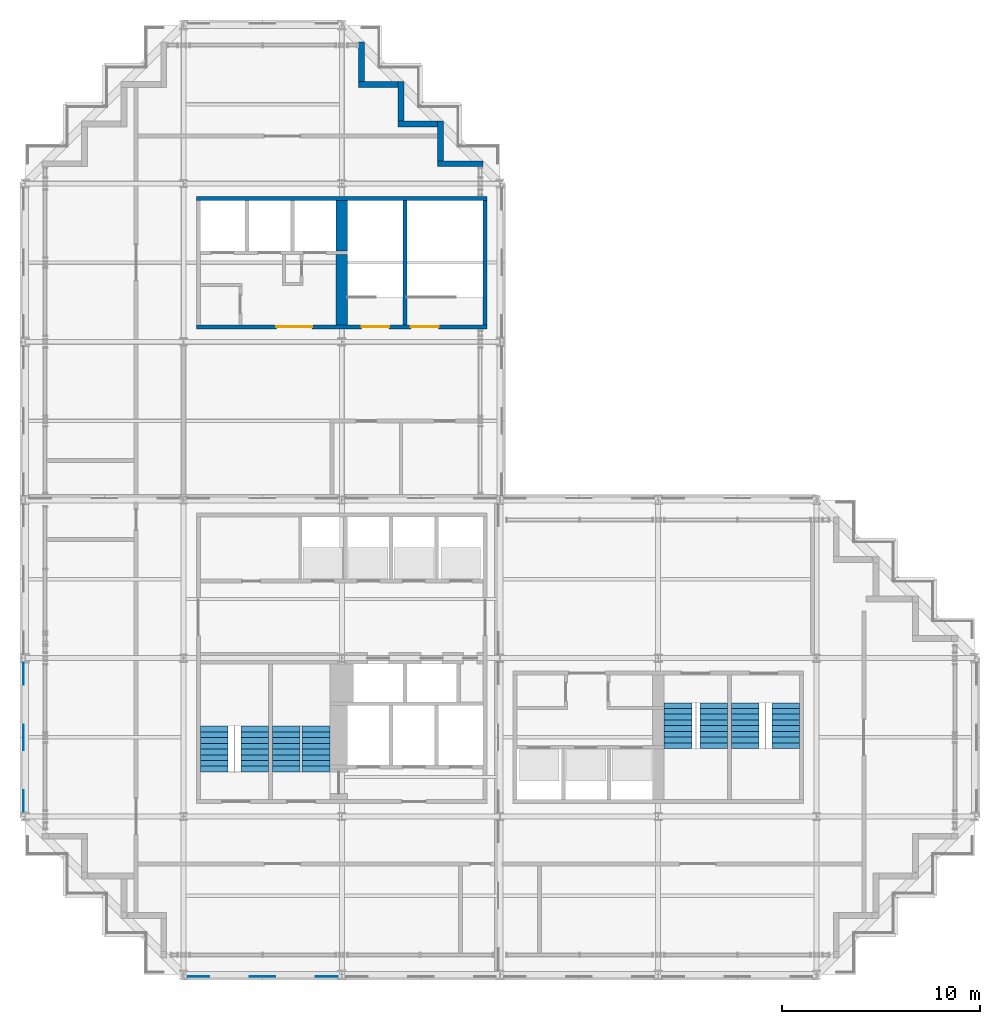
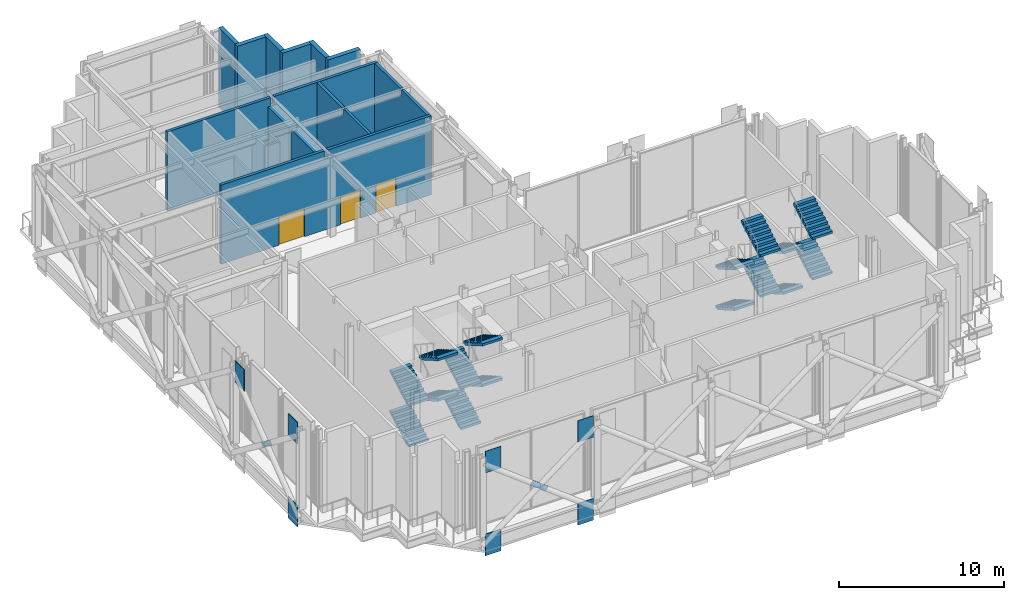
# One storey, part 19 of 23: 16 stair flights, 12 walls, 9 discrete accessories, 3 doors, 3 openings, 4 elements without a shape of their own.
"""IFC4 building model written with IfcOpenShell, lengths in metres."""

from ifc_helpers import new_model, si_unit, direction, frame, frame_2d, origin, origin_2d, place, context, subcontext, project, spatial, polyline, rectangle, outline, extrude, material, layer, layer_set, material_profile, profile_set, type_object, element, fill, aggregate, save


model = new_model("IFC4")

# Units and contexts
model_context = context("Model", 3, precision=1e-05, world=origin(), true_north=direction((0.0, 1.0)))
body_context = subcontext(model_context, "Body", "Model", "MODEL_VIEW")
ifc_project = project(units=[si_unit("LENGTHUNIT", "METRE"), si_unit("AREAUNIT", "SQUARE_METRE"), si_unit("VOLUMEUNIT", "CUBIC_METRE"), si_unit("PLANEANGLEUNIT", "RADIAN"), si_unit("MASSUNIT", "GRAM", prefix="KILO")], contexts=[model_context])

# Site, building, storey
site_placement = place(None, origin())
site = spatial("IfcSite", under=ifc_project, at=site_placement, CompositionType="ELEMENT")
building_placement = place(site_placement, origin())
building = spatial("IfcBuilding", under=site, at=building_placement, Name="Immortelle Media Tower", CompositionType="ELEMENT")
storey_placement = place(building_placement, frame((0.0, 0.0, 183.0)))
storey = spatial("IfcBuildingStorey", under=building, at=storey_placement, Name="L38", CompositionType="ELEMENT", Elevation=183.0)

# Walls
ifc_material_1 = material(Name="Pale aluminium cladding panel", Category="aluminium")
ifc_layer_1 = layer(ifc_material_1, 0.030029296875)
ifc_material_2 = material(Name="Steel ASTM A653 SS Gr 50 stud frame with mineral wool", Category="steel")
ifc_layer_2 = layer(ifc_material_2, 0.257568359375)
ifc_material_3 = material(Name="Moisture-resistant gypsum board", Category="gypsum")
ifc_layer_3 = layer(ifc_material_3, 0.012451171875)
ifc_layer_set_1 = layer_set([ifc_layer_1, ifc_layer_2, ifc_layer_3], Name="Steel ASTM A653 SS Gr 50 stud frame with mineral wool")
wall_type_1 = type_object("IfcWallType", Name="Pale metal clad wall 300", PredefinedType="STANDARD", material=ifc_layer_set_1)
wall_1_placement = place(storey_placement, frame((23.14990234375, 41.0, 0.0), z_axis=(0.0, 0.0, 1.0), x_axis=(-1.0, 0.0, 0.0)))
element("IfcWall", 1, at=wall_1_placement, inside=storey, type_object=wall_type_1, Name="Plant corner wall L38 N 23", PredefinedType="STANDARD", context=body_context, shape_type="SweptSolid", body=[
    extrude(rectangle(XDim=2.2998046875, YDim=0.300048828125, at=frame_2d((1.14990234375, 0.0))), origin(), (0.0, 0.0, 1.0), 5.849609375),
])
for number, where, z_axis, x_axis, name in (
    (2, (21.0, 41.14990234375, 0.0), (0.0, 0.0, 1.0), (0.0, 1.0, 0.0), "Plant corner wall L38 E 24"),
    (3, (20.85009765625, 43.0, 0.0), (0.0, 0.0, 1.0), (-1.0, 0.0, 0.0), "Plant corner wall L38 N 25"),
    (4, (19.0, 43.14990234375, 0.0), (0.0, 0.0, 1.0), (0.0, 1.0, 0.0), "Plant corner wall L38 E 26"),
    (5, (18.85009765625, 45.0, 0.0), (0.0, 0.0, 1.0), (-1.0, 0.0, 0.0), "Plant corner wall L38 N 27"),
    (6, (17.0, 45.14990234375, 0.0), (0.0, 0.0, 1.0), (0.0, 1.0, 0.0), "Plant corner wall L38 E 28"),
):
    element("IfcWall", number, at=place(storey_placement, frame(where, z_axis=z_axis, x_axis=x_axis)), inside=storey, type_object=wall_type_1, Name=name, PredefinedType="STANDARD", context=body_context, shape_type="SweptSolid", body=[
        extrude(rectangle(XDim=2.0, YDim=0.300048828125, at=frame_2d((1.0, 0.0))), origin(), (0.0, 0.0, 1.0), 5.849609375),
    ])

# Wall, openings, doors
ifc_material_4 = material(Name="Concrete C60", Category="concrete")
ifc_layer_4 = layer(ifc_material_4, 0.199951171875)
ifc_layer_set_2 = layer_set([ifc_layer_4], Name="Concrete C60")
wall_type_2 = type_object("IfcWallType", Name="Stair shaft wall 200", PredefinedType="PARTITIONING", material=ifc_layer_set_2)
wall_2_placement = place(storey_placement, frame((8.64990234375, 32.75, 0.0), z_axis=(0.0, 0.0, 1.0), x_axis=(1.0, 0.0, 0.0)))
wall_2 = element("IfcWall", 7, at=wall_2_placement, inside=storey, type_object=wall_type_2, Name="Stair shaft wall NW", PredefinedType="PARTITIONING", context=body_context, shape_type="SweptSolid", body=[
    extrude(outline(polyline([(0.0, 0.0), (14.7001953125, 0.0), (14.699951171875, 5.85009765625), (7.468994140625, 5.85009765625), (7.468017578125, 5.241943359375), (7.23193359375, 5.241943359375), (7.23095703125, 5.85009765625), (0.0, 5.85009765625), (0.0, 0.0)])), frame((0.0, 0.10009765625, 0.0), z_axis=(0.0, -1.0, 0.0), x_axis=(1.0, 0.0, 0.0)), (0.0, 0.0, 1.0), 0.199951171875),
])
opening_1_placement = place(wall_2_placement, frame((4.050048828125, 0.0, 0.0)))
opening_1 = element("IfcOpeningElement", 8, at=opening_1_placement, cuts=wall_2, Name="Opening L38-K029", PredefinedType="OPENING", context=body_context, shape_type="SweptSolid", body=[
    extrude(rectangle(XDim=1.800048828125, YDim=2.10009765625, at=frame_2d((0.89990234375, 1.050048828125))), frame((0.0, 0.10986328125, 0.0), z_axis=(0.0, -1.0, 0.0), x_axis=(1.0, 0.0, 0.0)), (0.0, 0.0, 1.0), 0.219970703125),
])
opening_2_placement = place(wall_2_placement, frame((8.35009765625, 0.0, 0.0)))
opening_2 = element("IfcOpeningElement", 9, at=opening_2_placement, cuts=wall_2, Name="Opening L38-K032", PredefinedType="OPENING", context=body_context, shape_type="SweptSolid", body=[
    extrude(rectangle(XDim=1.39990234375, YDim=2.10009765625, at=frame_2d((0.699951171875, 1.050048828125))), frame((0.0, 0.10986328125, 0.0), z_axis=(0.0, -1.0, 0.0), x_axis=(1.0, 0.0, 0.0)), (0.0, 0.0, 1.0), 0.219970703125),
])
opening_3_placement = place(wall_2_placement, frame((10.85009765625, 0.0, 0.0)))
opening_3 = element("IfcOpeningElement", 10, at=opening_3_placement, cuts=wall_2, Name="Opening L38-K033", PredefinedType="OPENING", context=body_context, shape_type="SweptSolid", body=[
    extrude(rectangle(XDim=1.39990234375, YDim=2.10009765625, at=frame_2d((0.699951171875, 1.050048828125))), frame((0.0, 0.10986328125, 0.0), z_axis=(0.0, -1.0, 0.0), x_axis=(1.0, 0.0, 0.0)), (0.0, 0.0, 1.0), 0.219970703125),
])
ifc_material_5 = material(Name="Galvanised steel door leaf and frame ASTM A653", Category="steel")
door_type_1 = type_object("IfcDoorType", Name="Lift lobby door 1800 x 2100", OperationType="DOUBLE_DOOR_SINGLE_SWING", PredefinedType="NOTDEFINED", material=ifc_material_5)
door_1_placement = place(opening_1_placement, origin())
door_1 = element("IfcDoor", 11, at=door_1_placement, inside=storey, type_object=door_type_1, Name="Lift lobby L38-K029", OperationType="DOUBLE_DOOR_SINGLE_SWING", OverallHeight=2.10009765625, OverallWidth=1.800048828125, PredefinedType="NOTDEFINED", context=body_context, shape_type="SweptSolid", body=[
    extrude(rectangle(XDim=1.800048828125, YDim=2.10009765625, at=frame_2d((0.89990234375, 1.050048828125))), frame((0.0, 0.02490234375, 0.0), z_axis=(0.0, -1.0, 0.0), x_axis=(1.0, 0.0, 0.0)), (0.0, 0.0, 1.0), 0.050048828125),
])
fill(opening_1, door_1)
door_type_2 = type_object("IfcDoorType", Name="Stair door 1400 x 2100", OperationType="DOUBLE_DOOR_SINGLE_SWING", PredefinedType="NOTDEFINED", material=ifc_material_5)
door_2_placement = place(opening_2_placement, origin())
door_2 = element("IfcDoor", 12, at=door_2_placement, inside=storey, type_object=door_type_2, Name="Stair L38-K032", OperationType="DOUBLE_DOOR_SINGLE_SWING", OverallHeight=2.10009765625, OverallWidth=1.39990234375, PredefinedType="NOTDEFINED", context=body_context, shape_type="SweptSolid", body=[
    extrude(rectangle(XDim=1.39990234375, YDim=2.10009765625, at=frame_2d((0.699951171875, 1.050048828125))), frame((0.0, 0.02490234375, 0.0), z_axis=(0.0, -1.0, 0.0), x_axis=(1.0, 0.0, 0.0)), (0.0, 0.0, 1.0), 0.050048828125),
])
fill(opening_2, door_2)
door_3_placement = place(opening_3_placement, origin())
door_3 = element("IfcDoor", 13, at=door_3_placement, inside=storey, type_object=door_type_2, Name="Stair L38-K033", OperationType="DOUBLE_DOOR_SINGLE_SWING", OverallHeight=2.10009765625, OverallWidth=1.39990234375, PredefinedType="NOTDEFINED", context=body_context, shape_type="SweptSolid", body=[
    extrude(rectangle(XDim=1.39990234375, YDim=2.10009765625, at=frame_2d((0.699951171875, 1.050048828125))), frame((0.0, 0.02490234375, 0.0), z_axis=(0.0, -1.0, 0.0), x_axis=(1.0, 0.0, 0.0)), (0.0, 0.0, 1.0), 0.050048828125),
])
fill(opening_3, door_3)

# Walls
wall_3_placement = place(storey_placement, frame((8.64990234375, 39.25, 0.0), z_axis=(0.0, 0.0, 1.0), x_axis=(1.0, 0.0, 0.0)))
element("IfcWall", 14, at=wall_3_placement, inside=storey, type_object=wall_type_2, Name="Stair shaft wall NW", PredefinedType="PARTITIONING", context=body_context, shape_type="SweptSolid", body=[
    extrude(outline(polyline([(0.0, 0.0), (14.7001953125, 0.0), (14.699951171875, 5.85009765625), (7.468994140625, 5.85009765625), (7.468017578125, 5.241943359375), (7.23193359375, 5.241943359375), (7.23095703125, 5.85009765625), (0.0, 5.85009765625), (0.0, 0.0)])), frame((0.0, 0.10009765625, 0.0), z_axis=(0.0, -1.0, 0.0), x_axis=(1.0, 0.0, 0.0)), (0.0, 0.0, 1.0), 0.199951171875),
])
for number, where, z_axis, x_axis, name in (
    (15, (19.199951171875, 32.85009765625, 0.0), (0.0, 0.0, 1.0), (0.0, 1.0, 0.0), "Stair shaft wall NW"),
    (16, (23.25, 32.85009765625, 0.0), (0.0, 0.0, 1.0), (0.0, 1.0, 0.0), "Stair shaft wall NW"),
):
    element("IfcWall", number, at=place(storey_placement, frame(where, z_axis=z_axis, x_axis=x_axis)), inside=storey, type_object=wall_type_2, Name=name, PredefinedType="PARTITIONING", context=body_context, shape_type="SweptSolid", body=[
        extrude(outline(polyline([(0.0, 0.0), (6.2998046875, 0.0), (6.300048828125, 5.85009765625), (3.2314453125, 5.85009765625), (3.23046875, 5.388916015625), (3.069580078125, 5.388916015625), (3.068603515625, 5.85009765625), (0.0, 5.85009765625), (0.0, 0.0)])), frame((0.0, 0.10009765625, 0.0), z_axis=(0.0, -1.0, 0.0), x_axis=(1.0, 0.0, 0.0)), (0.0, 0.0, 1.0), 0.199951171875),
    ])
ifc_layer_5 = layer(ifc_material_4, 0.60009765625)
ifc_layer_set_3 = layer_set([ifc_layer_5], Name="Concrete C60")
wall_type_3 = type_object("IfcWallType", Name="Stair shaft wall 600", PredefinedType="PARTITIONING", material=ifc_layer_set_3)
wall_4_placement = place(storey_placement, frame((16.0, 32.85009765625, 0.0), z_axis=(0.0, 0.0, 1.0), x_axis=(0.0, 1.0, 0.0)))
element("IfcWall", 17, at=wall_4_placement, inside=storey, type_object=wall_type_3, Name="Stair shaft wall NW", PredefinedType="PARTITIONING", context=body_context, shape_type="SweptSolid", body=[
    extrude(rectangle(XDim=3.5498046875, YDim=0.60009765625, at=frame_2d((1.77490234375, 0.0))), origin(), (0.0, 0.0, 1.0), 5.241943359375),
])
wall_5_placement = place(storey_placement, frame((16.0, 36.60009765625, 0.0), z_axis=(0.0, 0.0, 1.0), x_axis=(0.0, 1.0, 0.0)))
element("IfcWall", 18, at=wall_5_placement, inside=storey, type_object=wall_type_3, Name="Stair shaft wall NW", PredefinedType="PARTITIONING", context=body_context, shape_type="SweptSolid", body=[
    extrude(rectangle(XDim=2.5498046875, YDim=0.60009765625, at=frame_2d((1.27490234375, 0.0))), origin(), (0.0, 0.0, 1.0), 5.241943359375),
])

# Stair, stair flights
ifc_material_6 = material(Name="Steel ASTM A992 Gr 50", Category="steel")
stair_type = type_object("IfcStairType", Name="Stair with flights", PredefinedType="DOUBLE_RETURN_STAIR", material=ifc_material_6)
stair_1_placement = place(storey_placement, origin())
stair_1 = element("IfcStair", 19, at=stair_1_placement, inside=storey, type_object=stair_type, Name="Exit stair SW1", PredefinedType="DOUBLE_RETURN_STAIR")
stair_flight_type = type_object("IfcStairFlightType", Name="Stair flight 1400", PredefinedType="STRAIGHT", material=ifc_material_6)
stair_flight_1_placement = place(storey_placement, frame((9.550048828125, 10.25, 0.0), z_axis=(0.0, 0.0, 1.0), x_axis=(0.0, 1.0, 0.0)))
stair_flight_1 = element("IfcStairFlight", 20, at=stair_flight_1_placement, type_object=stair_flight_type, Name="ST SW1 flight 1", NumberOfRisers=9, NumberOfTreads=8, PredefinedType="STRAIGHT", RiserHeight=0.166666667, TreadLength=0.29, context=body_context, shape_type="SweptSolid", body=[
    extrude(outline(polyline([(0.0, 0.0), (0.0, 0.166748046875), (0.2900390625, 0.166748046875), (0.2900390625, 0.333251953125), (0.580078125, 0.333251953125), (0.580078125, 0.5), (0.8701171875, 0.5), (0.8701171875, 0.666748046875), (1.159912109375, 0.666748046875), (1.159912109375, 0.833251953125), (1.449951171875, 0.833251953125), (1.449951171875, 1.0), (1.739990234375, 1.0), (1.739990234375, 1.166748046875), (2.030029296875, 1.166748046875), (2.030029296875, 1.333251953125), (2.320068359375, 1.333251953125), (2.320068359375, 1.5), (2.320068359375, 1.160400390625), (0.30078125, 0.0), (0.0, 0.0)])), frame((0.0, 0.699951171875, 0.0), z_axis=(0.0, -1.0, 0.0), x_axis=(1.0, 0.0, 0.0)), (0.0, 0.0, 1.0), 1.39990234375),
])
stair_flight_2_placement = place(storey_placement, frame((11.60009765625, 12.570068359375, 1.5), z_axis=(0.0, 0.0, 1.0), x_axis=(0.0, -1.0, 0.0)))
stair_flight_2 = element("IfcStairFlight", 21, at=stair_flight_2_placement, type_object=stair_flight_type, Name="ST SW1 flight 2", NumberOfRisers=9, NumberOfTreads=8, PredefinedType="STRAIGHT", RiserHeight=0.166666667, TreadLength=0.29, context=body_context, shape_type="SweptSolid", body=[
    extrude(outline(polyline([(0.0, 0.0), (0.0, 0.166748046875), (0.2900390625, 0.166748046875), (0.2900390625, 0.333251953125), (0.580078125, 0.333251953125), (0.580078125, 0.5), (0.8701171875, 0.5), (0.8701171875, 0.666748046875), (1.159912109375, 0.666748046875), (1.159912109375, 0.833251953125), (1.449951171875, 0.833251953125), (1.449951171875, 1.0), (1.739990234375, 1.0), (1.739990234375, 1.166748046875), (2.030029296875, 1.166748046875), (2.030029296875, 1.333251953125), (2.320068359375, 1.333251953125), (2.320068359375, 1.5), (2.320068359375, 1.160400390625), (0.30078125, 0.0), (0.0, 0.0)])), frame((0.0, 0.699951171875, 0.0), z_axis=(0.0, -1.0, 0.0), x_axis=(1.0, 0.0, 0.0)), (0.0, 0.0, 1.0), 1.39990234375),
])
stair_flight_3_placement = place(storey_placement, frame((9.550048828125, 10.25, 3.0), z_axis=(0.0, 0.0, 1.0), x_axis=(0.0, 1.0, 0.0)))
stair_flight_3 = element("IfcStairFlight", 22, at=stair_flight_3_placement, type_object=stair_flight_type, Name="ST SW1 flight 3", NumberOfRisers=9, NumberOfTreads=8, PredefinedType="STRAIGHT", RiserHeight=0.166666667, TreadLength=0.29, context=body_context, shape_type="SweptSolid", body=[
    extrude(outline(polyline([(0.0, 0.0), (0.0, 0.166748046875), (0.2900390625, 0.166748046875), (0.2900390625, 0.333251953125), (0.580078125, 0.333251953125), (0.580078125, 0.5), (0.8701171875, 0.5), (0.8701171875, 0.666748046875), (1.159912109375, 0.666748046875), (1.159912109375, 0.833251953125), (1.449951171875, 0.833251953125), (1.449951171875, 1.0), (1.739990234375, 1.0), (1.739990234375, 1.166748046875), (2.030029296875, 1.166748046875), (2.030029296875, 1.333251953125), (2.320068359375, 1.333251953125), (2.320068359375, 1.5), (2.320068359375, 1.160400390625), (0.30078125, 0.0), (0.0, 0.0)])), frame((0.0, 0.699951171875, 0.0), z_axis=(0.0, -1.0, 0.0), x_axis=(1.0, 0.0, 0.0)), (0.0, 0.0, 1.0), 1.39990234375),
])
stair_flight_4_placement = place(storey_placement, frame((11.60009765625, 12.570068359375, 4.5), z_axis=(0.0, 0.0, 1.0), x_axis=(0.0, -1.0, 0.0)))
stair_flight_4 = element("IfcStairFlight", 23, at=stair_flight_4_placement, type_object=stair_flight_type, Name="ST SW1 flight 4", NumberOfRisers=9, NumberOfTreads=8, PredefinedType="STRAIGHT", RiserHeight=0.166666667, TreadLength=0.29, context=body_context, shape_type="SweptSolid", body=[
    extrude(outline(polyline([(0.0, 0.0), (0.0, 0.166748046875), (0.2900390625, 0.166748046875), (0.2900390625, 0.333251953125), (0.580078125, 0.333251953125), (0.580078125, 0.5), (0.8701171875, 0.5), (0.8701171875, 0.666748046875), (1.159912109375, 0.666748046875), (1.159912109375, 0.833251953125), (1.449951171875, 0.833251953125), (1.449951171875, 1.0), (1.739990234375, 1.0), (1.739990234375, 1.166748046875), (2.030029296875, 1.166748046875), (2.030029296875, 1.333251953125), (2.320068359375, 1.333251953125), (2.320068359375, 1.5), (2.320068359375, 1.160400390625), (0.30078125, 0.0), (0.0, 0.0)])), frame((0.0, 0.699951171875, 0.0), z_axis=(0.0, -1.0, 0.0), x_axis=(1.0, 0.0, 0.0)), (0.0, 0.0, 1.0), 1.39990234375),
])
aggregate(stair_1, [stair_flight_1, stair_flight_2, stair_flight_3, stair_flight_4])

stair_2_placement = place(storey_placement, origin())
stair_2 = element("IfcStair", 24, at=stair_2_placement, inside=storey, type_object=stair_type, Name="Exit stair SW2", PredefinedType="DOUBLE_RETURN_STAIR")
stair_flight_5_placement = place(storey_placement, frame((13.199951171875, 10.25, 0.0), z_axis=(0.0, 0.0, 1.0), x_axis=(0.0, 1.0, 0.0)))
stair_flight_5 = element("IfcStairFlight", 25, at=stair_flight_5_placement, type_object=stair_flight_type, Name="ST SW2 flight 1", NumberOfRisers=9, NumberOfTreads=8, PredefinedType="STRAIGHT", RiserHeight=0.166666667, TreadLength=0.29, context=body_context, shape_type="SweptSolid", body=[
    extrude(outline(polyline([(0.0, 0.0), (0.0, 0.166748046875), (0.2900390625, 0.166748046875), (0.2900390625, 0.333251953125), (0.580078125, 0.333251953125), (0.580078125, 0.5), (0.8701171875, 0.5), (0.8701171875, 0.666748046875), (1.159912109375, 0.666748046875), (1.159912109375, 0.833251953125), (1.449951171875, 0.833251953125), (1.449951171875, 1.0), (1.739990234375, 1.0), (1.739990234375, 1.166748046875), (2.030029296875, 1.166748046875), (2.030029296875, 1.333251953125), (2.320068359375, 1.333251953125), (2.320068359375, 1.5), (2.320068359375, 1.160400390625), (0.30078125, 0.0), (0.0, 0.0)])), frame((0.0, 0.699951171875, 0.0), z_axis=(0.0, -1.0, 0.0), x_axis=(1.0, 0.0, 0.0)), (0.0, 0.0, 1.0), 1.39990234375),
])
stair_flight_6_placement = place(storey_placement, frame((14.699951171875, 12.570068359375, 1.5), z_axis=(0.0, 0.0, 1.0), x_axis=(0.0, -1.0, 0.0)))
stair_flight_6 = element("IfcStairFlight", 26, at=stair_flight_6_placement, type_object=stair_flight_type, Name="ST SW2 flight 2", NumberOfRisers=9, NumberOfTreads=8, PredefinedType="STRAIGHT", RiserHeight=0.166666667, TreadLength=0.29, context=body_context, shape_type="SweptSolid", body=[
    extrude(outline(polyline([(0.0, 0.0), (0.0, 0.166748046875), (0.2900390625, 0.166748046875), (0.2900390625, 0.333251953125), (0.580078125, 0.333251953125), (0.580078125, 0.5), (0.8701171875, 0.5), (0.8701171875, 0.666748046875), (1.159912109375, 0.666748046875), (1.159912109375, 0.833251953125), (1.449951171875, 0.833251953125), (1.449951171875, 1.0), (1.739990234375, 1.0), (1.739990234375, 1.166748046875), (2.030029296875, 1.166748046875), (2.030029296875, 1.333251953125), (2.320068359375, 1.333251953125), (2.320068359375, 1.5), (2.320068359375, 1.160400390625), (0.30078125, 0.0), (0.0, 0.0)])), frame((0.0, 0.699951171875, 0.0), z_axis=(0.0, -1.0, 0.0), x_axis=(1.0, 0.0, 0.0)), (0.0, 0.0, 1.0), 1.39990234375),
])
stair_flight_7_placement = place(storey_placement, frame((13.199951171875, 10.25, 3.0), z_axis=(0.0, 0.0, 1.0), x_axis=(0.0, 1.0, 0.0)))
stair_flight_7 = element("IfcStairFlight", 27, at=stair_flight_7_placement, type_object=stair_flight_type, Name="ST SW2 flight 3", NumberOfRisers=9, NumberOfTreads=8, PredefinedType="STRAIGHT", RiserHeight=0.166666667, TreadLength=0.29, context=body_context, shape_type="SweptSolid", body=[
    extrude(outline(polyline([(0.0, 0.0), (0.0, 0.166748046875), (0.2900390625, 0.166748046875), (0.2900390625, 0.333251953125), (0.580078125, 0.333251953125), (0.580078125, 0.5), (0.8701171875, 0.5), (0.8701171875, 0.666748046875), (1.159912109375, 0.666748046875), (1.159912109375, 0.833251953125), (1.449951171875, 0.833251953125), (1.449951171875, 1.0), (1.739990234375, 1.0), (1.739990234375, 1.166748046875), (2.030029296875, 1.166748046875), (2.030029296875, 1.333251953125), (2.320068359375, 1.333251953125), (2.320068359375, 1.5), (2.320068359375, 1.160400390625), (0.30078125, 0.0), (0.0, 0.0)])), frame((0.0, 0.699951171875, 0.0), z_axis=(0.0, -1.0, 0.0), x_axis=(1.0, 0.0, 0.0)), (0.0, 0.0, 1.0), 1.39990234375),
])
stair_flight_8_placement = place(storey_placement, frame((14.699951171875, 12.570068359375, 4.5), z_axis=(0.0, 0.0, 1.0), x_axis=(0.0, -1.0, 0.0)))
stair_flight_8 = element("IfcStairFlight", 28, at=stair_flight_8_placement, type_object=stair_flight_type, Name="ST SW2 flight 4", NumberOfRisers=9, NumberOfTreads=8, PredefinedType="STRAIGHT", RiserHeight=0.166666667, TreadLength=0.29, context=body_context, shape_type="SweptSolid", body=[
    extrude(outline(polyline([(0.0, 0.0), (0.0, 0.166748046875), (0.2900390625, 0.166748046875), (0.2900390625, 0.333251953125), (0.580078125, 0.333251953125), (0.580078125, 0.5), (0.8701171875, 0.5), (0.8701171875, 0.666748046875), (1.159912109375, 0.666748046875), (1.159912109375, 0.833251953125), (1.449951171875, 0.833251953125), (1.449951171875, 1.0), (1.739990234375, 1.0), (1.739990234375, 1.166748046875), (2.030029296875, 1.166748046875), (2.030029296875, 1.333251953125), (2.320068359375, 1.333251953125), (2.320068359375, 1.5), (2.320068359375, 1.160400390625), (0.30078125, 0.0), (0.0, 0.0)])), frame((0.0, 0.699951171875, 0.0), z_axis=(0.0, -1.0, 0.0), x_axis=(1.0, 0.0, 0.0)), (0.0, 0.0, 1.0), 1.39990234375),
])
aggregate(stair_2, [stair_flight_5, stair_flight_6, stair_flight_7, stair_flight_8])

stair_3_placement = place(storey_placement, origin())
stair_3 = element("IfcStair", 29, at=stair_3_placement, inside=storey, type_object=stair_type, Name="Exit stair SE1", PredefinedType="DOUBLE_RETURN_STAIR")
stair_flight_9_placement = place(storey_placement, frame((33.0, 13.75, 0.0), z_axis=(0.0, 0.0, 1.0), x_axis=(0.0, -1.0, 0.0)))
stair_flight_9 = element("IfcStairFlight", 30, at=stair_flight_9_placement, type_object=stair_flight_type, Name="ST SE1 flight 1", NumberOfRisers=9, NumberOfTreads=8, PredefinedType="STRAIGHT", RiserHeight=0.166666667, TreadLength=0.29, context=body_context, shape_type="SweptSolid", body=[
    extrude(outline(polyline([(0.0, 0.0), (0.0, 0.166748046875), (0.2900390625, 0.166748046875), (0.2900390625, 0.333251953125), (0.580078125, 0.333251953125), (0.580078125, 0.5), (0.8701171875, 0.5), (0.8701171875, 0.666748046875), (1.159912109375, 0.666748046875), (1.159912109375, 0.833251953125), (1.449951171875, 0.833251953125), (1.449951171875, 1.0), (1.739990234375, 1.0), (1.739990234375, 1.166748046875), (2.030029296875, 1.166748046875), (2.030029296875, 1.333251953125), (2.320068359375, 1.333251953125), (2.320068359375, 1.5), (2.320068359375, 1.160400390625), (0.30078125, 0.0), (0.0, 0.0)])), frame((0.0, 0.699951171875, 0.0), z_axis=(0.0, -1.0, 0.0), x_axis=(1.0, 0.0, 0.0)), (0.0, 0.0, 1.0), 1.39990234375),
])
stair_flight_10_placement = place(storey_placement, frame((34.800048828125, 11.429931640625, 1.5), z_axis=(0.0, 0.0, 1.0), x_axis=(0.0, 1.0, 0.0)))
stair_flight_10 = element("IfcStairFlight", 31, at=stair_flight_10_placement, type_object=stair_flight_type, Name="ST SE1 flight 2", NumberOfRisers=9, NumberOfTreads=8, PredefinedType="STRAIGHT", RiserHeight=0.166666667, TreadLength=0.29, context=body_context, shape_type="SweptSolid", body=[
    extrude(outline(polyline([(0.0, 0.0), (0.0, 0.166748046875), (0.2900390625, 0.166748046875), (0.2900390625, 0.333251953125), (0.580078125, 0.333251953125), (0.580078125, 0.5), (0.8701171875, 0.5), (0.8701171875, 0.666748046875), (1.159912109375, 0.666748046875), (1.159912109375, 0.833251953125), (1.449951171875, 0.833251953125), (1.449951171875, 1.0), (1.739990234375, 1.0), (1.739990234375, 1.166748046875), (2.030029296875, 1.166748046875), (2.030029296875, 1.333251953125), (2.320068359375, 1.333251953125), (2.320068359375, 1.5), (2.320068359375, 1.160400390625), (0.30078125, 0.0), (0.0, 0.0)])), frame((0.0, 0.699951171875, 0.0), z_axis=(0.0, -1.0, 0.0), x_axis=(1.0, 0.0, 0.0)), (0.0, 0.0, 1.0), 1.39990234375),
])
stair_flight_11_placement = place(storey_placement, frame((33.0, 13.75, 3.0), z_axis=(0.0, 0.0, 1.0), x_axis=(0.0, -1.0, 0.0)))
stair_flight_11 = element("IfcStairFlight", 32, at=stair_flight_11_placement, type_object=stair_flight_type, Name="ST SE1 flight 3", NumberOfRisers=9, NumberOfTreads=8, PredefinedType="STRAIGHT", RiserHeight=0.166666667, TreadLength=0.29, context=body_context, shape_type="SweptSolid", body=[
    extrude(outline(polyline([(0.0, 0.0), (0.0, 0.166748046875), (0.2900390625, 0.166748046875), (0.2900390625, 0.333251953125), (0.580078125, 0.333251953125), (0.580078125, 0.5), (0.8701171875, 0.5), (0.8701171875, 0.666748046875), (1.159912109375, 0.666748046875), (1.159912109375, 0.833251953125), (1.449951171875, 0.833251953125), (1.449951171875, 1.0), (1.739990234375, 1.0), (1.739990234375, 1.166748046875), (2.030029296875, 1.166748046875), (2.030029296875, 1.333251953125), (2.320068359375, 1.333251953125), (2.320068359375, 1.5), (2.320068359375, 1.160400390625), (0.30078125, 0.0), (0.0, 0.0)])), frame((0.0, 0.699951171875, 0.0), z_axis=(0.0, -1.0, 0.0), x_axis=(1.0, 0.0, 0.0)), (0.0, 0.0, 1.0), 1.39990234375),
])
stair_flight_12_placement = place(storey_placement, frame((34.800048828125, 11.429931640625, 4.5), z_axis=(0.0, 0.0, 1.0), x_axis=(0.0, 1.0, 0.0)))
stair_flight_12 = element("IfcStairFlight", 33, at=stair_flight_12_placement, type_object=stair_flight_type, Name="ST SE1 flight 4", NumberOfRisers=9, NumberOfTreads=8, PredefinedType="STRAIGHT", RiserHeight=0.166666667, TreadLength=0.29, context=body_context, shape_type="SweptSolid", body=[
    extrude(outline(polyline([(0.0, 0.0), (0.0, 0.166748046875), (0.2900390625, 0.166748046875), (0.2900390625, 0.333251953125), (0.580078125, 0.333251953125), (0.580078125, 0.5), (0.8701171875, 0.5), (0.8701171875, 0.666748046875), (1.159912109375, 0.666748046875), (1.159912109375, 0.833251953125), (1.449951171875, 0.833251953125), (1.449951171875, 1.0), (1.739990234375, 1.0), (1.739990234375, 1.166748046875), (2.030029296875, 1.166748046875), (2.030029296875, 1.333251953125), (2.320068359375, 1.333251953125), (2.320068359375, 1.5), (2.320068359375, 1.160400390625), (0.30078125, 0.0), (0.0, 0.0)])), frame((0.0, 0.699951171875, 0.0), z_axis=(0.0, -1.0, 0.0), x_axis=(1.0, 0.0, 0.0)), (0.0, 0.0, 1.0), 1.39990234375),
])
aggregate(stair_3, [stair_flight_9, stair_flight_10, stair_flight_11, stair_flight_12])

stair_4_placement = place(storey_placement, origin())
stair_4 = element("IfcStair", 34, at=stair_4_placement, inside=storey, type_object=stair_type, Name="Exit stair SE2", PredefinedType="DOUBLE_RETURN_STAIR")
stair_flight_13_placement = place(storey_placement, frame((36.39990234375, 13.75, 0.0), z_axis=(0.0, 0.0, 1.0), x_axis=(0.0, -1.0, 0.0)))
stair_flight_13 = element("IfcStairFlight", 35, at=stair_flight_13_placement, type_object=stair_flight_type, Name="ST SE2 flight 1", NumberOfRisers=9, NumberOfTreads=8, PredefinedType="STRAIGHT", RiserHeight=0.166666667, TreadLength=0.29, context=body_context, shape_type="SweptSolid", body=[
    extrude(outline(polyline([(0.0, 0.0), (0.0, 0.166748046875), (0.2900390625, 0.166748046875), (0.2900390625, 0.333251953125), (0.580078125, 0.333251953125), (0.580078125, 0.5), (0.8701171875, 0.5), (0.8701171875, 0.666748046875), (1.159912109375, 0.666748046875), (1.159912109375, 0.833251953125), (1.449951171875, 0.833251953125), (1.449951171875, 1.0), (1.739990234375, 1.0), (1.739990234375, 1.166748046875), (2.030029296875, 1.166748046875), (2.030029296875, 1.333251953125), (2.320068359375, 1.333251953125), (2.320068359375, 1.5), (2.320068359375, 1.160400390625), (0.30078125, 0.0), (0.0, 0.0)])), frame((0.0, 0.699951171875, 0.0), z_axis=(0.0, -1.0, 0.0), x_axis=(1.0, 0.0, 0.0)), (0.0, 0.0, 1.0), 1.39990234375),
])
stair_flight_14_placement = place(storey_placement, frame((38.449951171875, 11.429931640625, 1.5), z_axis=(0.0, 0.0, 1.0), x_axis=(0.0, 1.0, 0.0)))
stair_flight_14 = element("IfcStairFlight", 36, at=stair_flight_14_placement, type_object=stair_flight_type, Name="ST SE2 flight 2", NumberOfRisers=9, NumberOfTreads=8, PredefinedType="STRAIGHT", RiserHeight=0.166666667, TreadLength=0.29, context=body_context, shape_type="SweptSolid", body=[
    extrude(outline(polyline([(0.0, 0.0), (0.0, 0.166748046875), (0.2900390625, 0.166748046875), (0.2900390625, 0.333251953125), (0.580078125, 0.333251953125), (0.580078125, 0.5), (0.8701171875, 0.5), (0.8701171875, 0.666748046875), (1.159912109375, 0.666748046875), (1.159912109375, 0.833251953125), (1.449951171875, 0.833251953125), (1.449951171875, 1.0), (1.739990234375, 1.0), (1.739990234375, 1.166748046875), (2.030029296875, 1.166748046875), (2.030029296875, 1.333251953125), (2.320068359375, 1.333251953125), (2.320068359375, 1.5), (2.320068359375, 1.160400390625), (0.30078125, 0.0), (0.0, 0.0)])), frame((0.0, 0.699951171875, 0.0), z_axis=(0.0, -1.0, 0.0), x_axis=(1.0, 0.0, 0.0)), (0.0, 0.0, 1.0), 1.39990234375),
])
stair_flight_15_placement = place(storey_placement, frame((36.39990234375, 13.75, 3.0), z_axis=(0.0, 0.0, 1.0), x_axis=(0.0, -1.0, 0.0)))
stair_flight_15 = element("IfcStairFlight", 37, at=stair_flight_15_placement, type_object=stair_flight_type, Name="ST SE2 flight 3", NumberOfRisers=9, NumberOfTreads=8, PredefinedType="STRAIGHT", RiserHeight=0.166666667, TreadLength=0.29, context=body_context, shape_type="SweptSolid", body=[
    extrude(outline(polyline([(0.0, 0.0), (0.0, 0.166748046875), (0.2900390625, 0.166748046875), (0.2900390625, 0.333251953125), (0.580078125, 0.333251953125), (0.580078125, 0.5), (0.8701171875, 0.5), (0.8701171875, 0.666748046875), (1.159912109375, 0.666748046875), (1.159912109375, 0.833251953125), (1.449951171875, 0.833251953125), (1.449951171875, 1.0), (1.739990234375, 1.0), (1.739990234375, 1.166748046875), (2.030029296875, 1.166748046875), (2.030029296875, 1.333251953125), (2.320068359375, 1.333251953125), (2.320068359375, 1.5), (2.320068359375, 1.160400390625), (0.30078125, 0.0), (0.0, 0.0)])), frame((0.0, 0.699951171875, 0.0), z_axis=(0.0, -1.0, 0.0), x_axis=(1.0, 0.0, 0.0)), (0.0, 0.0, 1.0), 1.39990234375),
])
stair_flight_16_placement = place(storey_placement, frame((38.449951171875, 11.429931640625, 4.5), z_axis=(0.0, 0.0, 1.0), x_axis=(0.0, 1.0, 0.0)))
stair_flight_16 = element("IfcStairFlight", 38, at=stair_flight_16_placement, type_object=stair_flight_type, Name="ST SE2 flight 4", NumberOfRisers=9, NumberOfTreads=8, PredefinedType="STRAIGHT", RiserHeight=0.166666667, TreadLength=0.29, context=body_context, shape_type="SweptSolid", body=[
    extrude(outline(polyline([(0.0, 0.0), (0.0, 0.166748046875), (0.2900390625, 0.166748046875), (0.2900390625, 0.333251953125), (0.580078125, 0.333251953125), (0.580078125, 0.5), (0.8701171875, 0.5), (0.8701171875, 0.666748046875), (1.159912109375, 0.666748046875), (1.159912109375, 0.833251953125), (1.449951171875, 0.833251953125), (1.449951171875, 1.0), (1.739990234375, 1.0), (1.739990234375, 1.166748046875), (2.030029296875, 1.166748046875), (2.030029296875, 1.333251953125), (2.320068359375, 1.333251953125), (2.320068359375, 1.5), (2.320068359375, 1.160400390625), (0.30078125, 0.0), (0.0, 0.0)])), frame((0.0, 0.699951171875, 0.0), z_axis=(0.0, -1.0, 0.0), x_axis=(1.0, 0.0, 0.0)), (0.0, 0.0, 1.0), 1.39990234375),
])
aggregate(stair_4, [stair_flight_13, stair_flight_14, stair_flight_15, stair_flight_16])

# Discrete accessories
ifc_material_7 = material(Name="Steel ASTM A572 Gr 50", Category="steel")
ifc_material_profile_1 = material_profile(ifc_material_7, rectangle(XDim=0.02392578125, YDim=0.35595703125, at=origin_2d()), Name="PL 24 x 356")
ifc_profile_set_1 = profile_set([ifc_material_profile_1], Name="Steel ASTM A572 Gr 50")
discrete_accessory_type_1 = type_object("IfcDiscreteAccessoryType", Name="Crossing plate XP-BT2 1350 x 356 x 24", PredefinedType="USERDEFINED", material=ifc_profile_set_1)
for number, where, z_axis, x_axis, name in (
    (39, (-0.087890625, 11.4638671875, 2.744140625), (0.0, 0.79432189721, -0.607497097616), (-1.0, 0.0, 0.0), "Crossing plate XP-BT2 of Belt truss 1/B-C A and Belt truss 1/B-C B"),
    (40, (11.4638671875, -0.087890625, 2.744140625), (0.79432189721, 0.0, -0.607497097616), (0.0, 1.0, 0.0), "Crossing plate XP-BT2 of Belt truss A/2-3 A and Belt truss A/2-3 B"),
):
    element("IfcDiscreteAccessory", number, at=place(storey_placement, frame(where, z_axis=z_axis, x_axis=x_axis)), inside=storey, type_object=discrete_accessory_type_1, Name=name, ObjectType="CROSSING PLATE", PredefinedType="USERDEFINED", context=body_context, shape_type="SweptSolid", body=[
        extrude(rectangle(XDim=0.02392578125, YDim=0.35595703125, at=origin_2d()), origin(), (0.0, 0.0, 1.0), 1.349853515625),
    ])
ifc_material_profile_2 = material_profile(ifc_material_7, rectangle(XDim=0.0400390625, YDim=1.60009765625, at=origin_2d()), Name="PL 40 x 1600")
ifc_profile_set_2 = profile_set([ifc_material_profile_2], Name="Steel ASTM A572 Gr 50")
discrete_accessory_type_2 = type_object("IfcDiscreteAccessoryType", Name="Gusset plate GP2 1100 x 1600 x 40", PredefinedType="USERDEFINED", material=ifc_profile_set_2)
for number, where, z_axis, x_axis, name in (
    (41, (-0.087890625, 8.237548828125, -0.72509765625), (0.0, 1.0, 0.0), (-1.0, 0.0, 0.0), "Gusset plate GP2, lower end of Belt truss 1/B-C A"),
    (42, (-0.087890625, 15.762451171875, 5.39306640625), (0.0, -1.0, 0.0), (1.0, 0.0, 0.0), "Gusset plate GP2, upper end of Belt truss 1/B-C A"),
    (43, (-0.087890625, 8.237548828125, 5.39306640625), (0.0, 1.0, 0.0), (-1.0, 0.0, 0.0), "Gusset plate GP2, upper end of Belt truss 1/B-C B"),
):
    element("IfcDiscreteAccessory", number, at=place(storey_placement, frame(where, z_axis=z_axis, x_axis=x_axis)), inside=storey, type_object=discrete_accessory_type_2, Name=name, ObjectType="GUSSET PLATE", PredefinedType="USERDEFINED", context=body_context, shape_type="SweptSolid", body=[
        extrude(rectangle(XDim=0.0400390625, YDim=1.60009765625, at=origin_2d()), origin(), (0.0, 0.0, 1.0), 1.099853515625),
    ])
for number, where, z_axis, x_axis, name in (
    (44, (8.2119140625, -0.087890625, -0.72509765625), (1.0, 0.0, 0.0), (0.0, 1.0, 0.0), "Gusset plate GP2, lower end of Belt truss A/2-3 A"),
    (45, (15.7880859375, -0.087890625, 5.39306640625), (-1.0, 0.0, 0.0), (0.0, -1.0, 0.0), "Gusset plate GP2, upper end of Belt truss A/2-3 A"),
    (46, (15.7880859375, -0.087890625, -0.72509765625), (-1.0, 0.0, 0.0), (0.0, -1.0, 0.0), "Gusset plate GP2, lower end of Belt truss A/2-3 B"),
    (47, (8.2119140625, -0.087890625, 5.39306640625), (1.0, 0.0, 0.0), (0.0, 1.0, 0.0), "Gusset plate GP2, upper end of Belt truss A/2-3 B"),
):
    element("IfcDiscreteAccessory", number, at=place(storey_placement, frame(where, z_axis=z_axis, x_axis=x_axis)), inside=storey, type_object=discrete_accessory_type_2, Name=name, ObjectType="GUSSET PLATE", PredefinedType="USERDEFINED", context=body_context, shape_type="SweptSolid", body=[
        extrude(rectangle(XDim=0.0400390625, YDim=1.60009765625, at=origin_2d()), origin(), (0.0, 0.0, 1.0), 1.10009765625),
    ])

save(model, "model.ifc")
